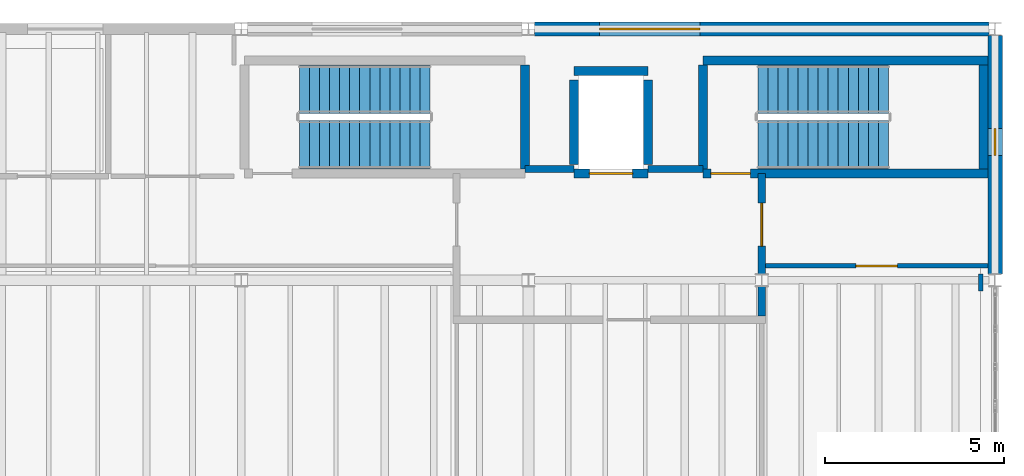
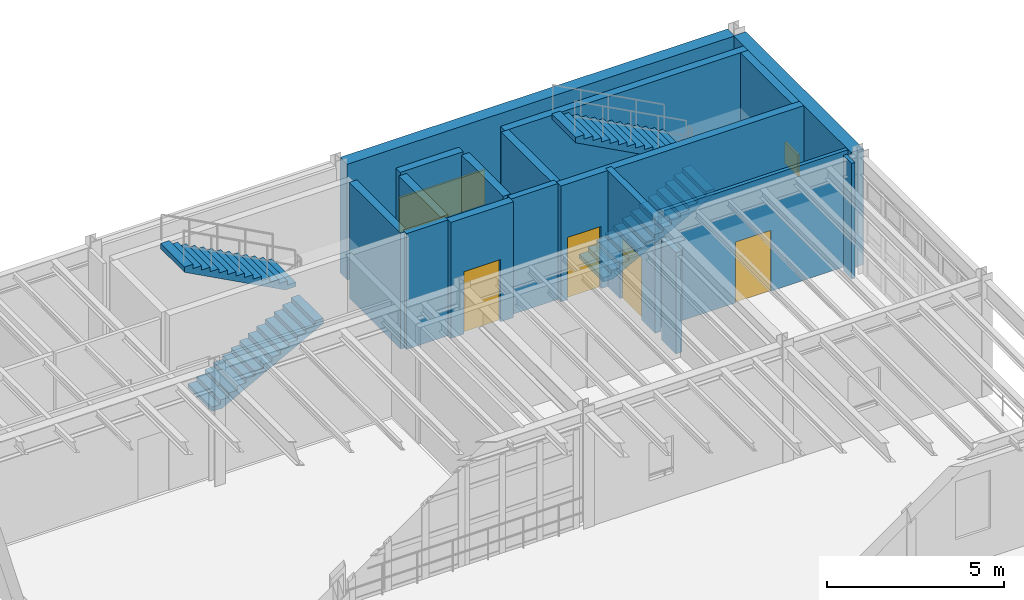
# One storey, part 25 of 27: 17 walls, 4 doors, 4 stair flights, 2 windows, 6 openings, 2 elements without a shape of their own.
"""IFC4 building model written with IfcOpenShell, lengths in metres."""

from ifc_helpers import new_model, si_unit, direction, frame, frame_2d, origin, place, context, subcontext, project, spatial, polyline, rectangle, outline, extrude, material, layer, layer_set, type_object, element, fill, aggregate, save


model = new_model("IFC4")

# Units and contexts
model_context = context("Model", 3, precision=1e-05, world=origin(), true_north=direction((0.0, 1.0)))
body_context = subcontext(model_context, "Body", "Model", "MODEL_VIEW")
ifc_project = project(units=[si_unit("LENGTHUNIT", "METRE"), si_unit("AREAUNIT", "SQUARE_METRE"), si_unit("VOLUMEUNIT", "CUBIC_METRE"), si_unit("PLANEANGLEUNIT", "RADIAN"), si_unit("MASSUNIT", "GRAM", prefix="KILO"), si_unit("THERMODYNAMICTEMPERATUREUNIT", "KELVIN"), si_unit("POWERUNIT", "WATT")], contexts=[model_context])

# Site, building, storey
site_placement = place(None, origin())
site = spatial("IfcSite", under=ifc_project, at=site_placement, CompositionType="ELEMENT")
building_placement = place(site_placement, origin())
building = spatial("IfcBuilding", under=site, at=building_placement, Name="Zhenchuan Central Fire Station", CompositionType="ELEMENT")
storey_placement = place(building_placement, frame((0.0, 0.0, 14.25)))
storey = spatial("IfcBuildingStorey", under=building, at=storey_placement, Name="L04", CompositionType="ELEMENT", Elevation=14.25)

# Wall, opening, window
ifc_material_1 = material(Name="Concrete C40/50", Category="concrete")
ifc_layer_1 = layer(ifc_material_1, 0.39990234375, Name="Concrete C40/50", Category="concrete")
ifc_layer_set_1 = layer_set([ifc_layer_1], Name="Concrete C40/50")
wall_type_1 = type_object("IfcWallType", Name="EW-RC400", PredefinedType="SHEAR", material=ifc_layer_set_1)
wall_1_placement = place(storey_placement, frame((148.175048828125, 56.5, 0.0), z_axis=(0.0, 0.0, 1.0), x_axis=(1.0, 0.0, 0.0)))
wall_1 = element("IfcWall", 1, at=wall_1_placement, inside=storey, type_object=wall_type_1, Name="EW-L04-V6N-2", PredefinedType="SHEAR", context=body_context, shape_type="SweptSolid", body=[
    extrude(rectangle(XDim=12.64990234375, YDim=0.39990234375, at=frame_2d((6.324951171875, 0.0))), origin(), (0.0, 0.0, 1.0), 4.0),
])
opening_1_placement = place(wall_1_placement, frame((1.800048828125, 0.0, 0.89990234375)))
opening_1 = element("IfcOpeningElement", 2, at=opening_1_placement, cuts=wall_1, Name="Opening W-38", PredefinedType="OPENING", context=body_context, shape_type="SweptSolid", body=[
    extrude(rectangle(XDim=2.800048828125, YDim=1.199951171875, at=frame_2d((1.39990234375, 0.60009765625))), frame((0.0, 0.2099609375, 0.0), z_axis=(0.0, -1.0, 0.0), x_axis=(1.0, 0.0, 0.0)), (0.0, 0.0, 1.0), 0.419921875),
])
ifc_material_2 = material(Name="Laminated low-E double glazing in aluminium frame", Category="aluminium")
window_type_1 = type_object("IfcWindowType", Name="WN-38", PartitioningType="SINGLE_PANEL", PredefinedType="WINDOW", material=ifc_material_2)
window_1_placement = place(opening_1_placement, origin())
window_1 = element("IfcWindow", 3, at=window_1_placement, inside=storey, type_object=window_type_1, Name="Exterior Window 0122", OverallHeight=1.199951171875, OverallWidth=2.800048828125, PartitioningType="SINGLE_PANEL", PredefinedType="WINDOW", context=body_context, shape_type="SweptSolid", body=[
    extrude(rectangle(XDim=2.800048828125, YDim=1.199951171875, at=frame_2d((1.39990234375, 0.60009765625))), frame((0.0, 0.030029296875, 0.0), z_axis=(0.0, -1.0, 0.0), x_axis=(1.0, 0.0, 0.0)), (0.0, 0.0, 1.0), 0.06005859375),
])
fill(opening_1, window_1)

wall_2_placement = place(storey_placement, frame((161.0, 49.675048828125, 0.0), z_axis=(0.0, 0.0, 1.0), x_axis=(0.0, 1.0, 0.0)))
wall_2 = element("IfcWall", 4, at=wall_2_placement, inside=storey, type_object=wall_type_1, Name="EW-L04-V6E-1", PredefinedType="SHEAR", context=body_context, shape_type="SweptSolid", body=[
    extrude(rectangle(XDim=6.64990234375, YDim=0.39990234375, at=frame_2d((3.324951171875, 0.0))), origin(), (0.0, 0.0, 1.0), 4.0),
])
opening_2_placement = place(wall_2_placement, frame((3.300048828125, 0.0, 1.10009765625)))
opening_2 = element("IfcOpeningElement", 5, at=opening_2_placement, cuts=wall_2, Name="Opening W-02", PredefinedType="OPENING", context=body_context, shape_type="SweptSolid", body=[
    extrude(rectangle(XDim=0.75, YDim=0.75, at=frame_2d((0.375, 0.375))), frame((0.0, 0.2099609375, 0.0), z_axis=(0.0, -1.0, 0.0), x_axis=(1.0, 0.0, 0.0)), (0.0, 0.0, 1.0), 0.419921875),
])
window_type_2 = type_object("IfcWindowType", Name="WN-02", PartitioningType="SINGLE_PANEL", PredefinedType="WINDOW", material=ifc_material_2)
window_2_placement = place(opening_2_placement, origin())
window_2 = element("IfcWindow", 6, at=window_2_placement, inside=storey, type_object=window_type_2, Name="Exterior Window 0123", OverallHeight=0.75, OverallWidth=0.75, PartitioningType="SINGLE_PANEL", PredefinedType="WINDOW", context=body_context, shape_type="SweptSolid", body=[
    extrude(rectangle(XDim=0.75, YDim=0.75, at=frame_2d((0.375, 0.375))), frame((0.0, 0.030029296875, 0.0), z_axis=(0.0, -1.0, 0.0), x_axis=(1.0, 0.0, 0.0)), (0.0, 0.0, 1.0), 0.06005859375),
])
fill(opening_2, window_2)

# Walls
ifc_material_3 = material(Name="Autoclaved aerated concrete blockwork", Category="masonry")
ifc_layer_2 = layer(ifc_material_3, 0.199951171875, Name="Autoclaved aerated concrete blockwork", Category="masonry")
ifc_layer_set_2 = layer_set([ifc_layer_2], Name="Autoclaved aerated concrete blockwork")
wall_type_2 = type_object("IfcWallType", Name="IW-FIR200", PredefinedType="PARTITIONING", material=ifc_layer_set_2)
wall_3_placement = place(storey_placement, frame((147.908935546875, 52.60009765625, 0.0), z_axis=(0.0, 0.0, 1.0), x_axis=(1.0, 0.0, 0.0)))
element("IfcWall", 7, at=wall_3_placement, inside=storey, type_object=wall_type_2, Name="L04 Firefighting Lobby North-West Infill Wall", PredefinedType="PARTITIONING", context=body_context, shape_type="SweptSolid", body=[
    extrude(rectangle(XDim=1.362060546875, YDim=0.199951171875, at=frame_2d((0.68115234375, 0.0))), origin(), (0.0, 0.0, 1.0), 4.0),
])
wall_4_placement = place(storey_placement, frame((151.3291015625, 52.60009765625, 0.0), z_axis=(0.0, 0.0, 1.0), x_axis=(1.0, 0.0, 0.0)))
element("IfcWall", 8, at=wall_4_placement, inside=storey, type_object=wall_type_2, Name="L04 Firefighting Lobby North-East Infill Wall", PredefinedType="PARTITIONING", context=body_context, shape_type="SweptSolid", body=[
    extrude(rectangle(XDim=1.531982421875, YDim=0.199951171875, at=frame_2d((0.76611328125, 0.0))), origin(), (0.0, 0.0, 1.0), 4.0),
])
wall_5_placement = place(storey_placement, frame((154.5, 48.50390625, 0.0), z_axis=(0.0, 0.0, 1.0), x_axis=(0.0, 1.0, 0.0)))
element("IfcWall", 9, at=wall_5_placement, inside=storey, type_object=wall_type_2, Name="L04 Firefighting Lift Lobby South-East Pier Wall", PredefinedType="PARTITIONING", context=body_context, shape_type="SweptSolid", body=[
    extrude(rectangle(XDim=0.817138671875, YDim=0.199951171875, at=frame_2d((0.40869140625, 0.0))), origin(), (0.0, 0.0, 1.0), 3.493896484375),
])

# Wall, opening, door
wall_6_placement = place(storey_placement, frame((154.5, 49.678955078125, 0.0), z_axis=(0.0, 0.0, 1.0), x_axis=(0.0, 1.0, 0.0)))
wall_6 = element("IfcWall", 10, at=wall_6_placement, inside=storey, type_object=wall_type_2, Name="L04 Firefighting Lift Lobby East Wall", PredefinedType="PARTITIONING", context=body_context, shape_type="SweptSolid", body=[
    extrude(rectangle(XDim=2.7919921875, YDim=0.199951171875, at=frame_2d((1.39599609375, 0.0))), origin(), (0.0, 0.0, 1.0), 4.0),
])
opening_3_placement = place(wall_6_placement, frame((0.77099609375, 0.0, 0.0)))
opening_3 = element("IfcOpeningElement", 11, at=opening_3_placement, cuts=wall_6, Name="Opening D-059", PredefinedType="OPENING", context=body_context, shape_type="SweptSolid", body=[
    extrude(rectangle(XDim=1.199951171875, YDim=2.14990234375, at=frame_2d((0.60009765625, 1.074951171875))), frame((0.0, 0.10986328125, 0.0), z_axis=(0.0, -1.0, 0.0), x_axis=(1.0, 0.0, 0.0)), (0.0, 0.0, 1.0), 0.219970703125),
])
ifc_material_4 = material(Name="Smoke-sealed steel fire lobby door", Category="steel")
door_type_1 = type_object("IfcDoorType", Name="ID-FFL-120x215", OperationType="NOTDEFINED", PredefinedType="DOOR", material=ifc_material_4)
door_1_placement = place(opening_3_placement, origin())
door_1 = element("IfcDoor", 12, at=door_1_placement, inside=storey, type_object=door_type_1, Name="L04 Firefighting Lift Lobby East Door", OperationType="SINGLE_SWING_LEFT", OverallHeight=2.14990234375, OverallWidth=1.199951171875, PredefinedType="DOOR", context=body_context, shape_type="SweptSolid", body=[
    extrude(rectangle(XDim=1.199951171875, YDim=2.14990234375, at=frame_2d((0.60009765625, 1.074951171875))), frame((0.0, 0.02490234375, 0.0), z_axis=(0.0, -1.0, 0.0), x_axis=(1.0, 0.0, 0.0)), (0.0, 0.0, 1.0), 0.050048828125),
])
fill(opening_3, door_1)

ifc_material_5 = material(Name="Gypsum plasterboard on steel studs", Category="gypsum")
ifc_layer_3 = layer(ifc_material_5, 0.1201171875, Name="Gypsum plasterboard on steel studs", Category="gypsum")
ifc_layer_set_3 = layer_set([ifc_layer_3], Name="Gypsum plasterboard on steel studs")
wall_type_3 = type_object("IfcWallType", Name="IW-GYP120", PredefinedType="PARTITIONING", material=ifc_layer_set_3)
wall_7_placement = place(storey_placement, frame((154.60302734375, 49.89990234375, 0.0), z_axis=(0.0, 0.0, 1.0), x_axis=(1.0, 0.0, 0.0)))
wall_7 = element("IfcWall", 13, at=wall_7_placement, inside=storey, type_object=wall_type_3, Name="Tactical Debriefing Classroom N Partition", PredefinedType="PARTITIONING", context=body_context, shape_type="SweptSolid", body=[
    extrude(rectangle(XDim=6.194091796875, YDim=0.1201171875, at=frame_2d((3.09716796875, 0.0))), origin(), (0.0, 0.0, 1.0), 4.0),
])
opening_4_placement = place(wall_7_placement, frame((2.52197265625, 0.0, 0.0)))
opening_4 = element("IfcOpeningElement", 14, at=opening_4_placement, cuts=wall_7, Name="Opening D-178", PredefinedType="OPENING", context=body_context, shape_type="SweptSolid", body=[
    extrude(rectangle(XDim=1.14990234375, YDim=2.10009765625, at=frame_2d((0.574951171875, 1.050048828125))), frame((0.0, 0.070068359375, 0.0), z_axis=(0.0, -1.0, 0.0), x_axis=(1.0, 0.0, 0.0)), (0.0, 0.0, 1.0), 0.14013671875),
])
ifc_material_6 = material(Name="Glazed vision-panel classroom door")
door_type_2 = type_object("IfcDoorType", Name="ID-CLS-115x210", OperationType="NOTDEFINED", PredefinedType="DOOR", material=ifc_material_6)
door_2_placement = place(opening_4_placement, origin())
door_2 = element("IfcDoor", 15, at=door_2_placement, inside=storey, type_object=door_type_2, Name="Tactical Debriefing Classroom Door", OperationType="SINGLE_SWING_RIGHT", OverallHeight=2.10009765625, OverallWidth=1.14990234375, PredefinedType="DOOR", context=body_context, shape_type="SweptSolid", body=[
    extrude(rectangle(XDim=1.14990234375, YDim=2.10009765625, at=frame_2d((0.574951171875, 1.050048828125))), frame((0.0, 0.02490234375, 0.0), z_axis=(0.0, -1.0, 0.0), x_axis=(1.0, 0.0, 0.0)), (0.0, 0.0, 1.0), 0.050048828125),
])
fill(opening_4, door_2)

# Walls
wall_8_placement = place(storey_placement, frame((160.60009765625, 49.202880859375, 0.0), z_axis=(0.0, 0.0, 1.0), x_axis=(0.0, 1.0, 0.0)))
element("IfcWall", 16, at=wall_8_placement, inside=storey, type_object=wall_type_3, Name="Tactical Debriefing Classroom E Partition", PredefinedType="PARTITIONING", context=body_context, shape_type="SweptSolid", body=[
    extrude(rectangle(XDim=0.46923828125, YDim=0.1201171875, at=frame_2d((0.234619140625, 0.0))), origin(), (0.0, 0.0, 1.0), 4.0),
])
ifc_layer_4 = layer(ifc_material_1, 0.25, Name="Concrete C40/50", Category="concrete")
ifc_layer_set_4 = layer_set([ifc_layer_4], Name="Concrete C40/50")
wall_type_4 = type_object("IfcWallType", Name="IW-SHR250", PredefinedType="SHEAR", material=ifc_layer_set_4)
wall_9_placement = place(storey_placement, frame((147.905029296875, 52.60009765625, 0.0), z_axis=(0.0, 0.0, 1.0), x_axis=(0.0, 1.0, 0.0)))
element("IfcWall", 17, at=wall_9_placement, inside=storey, type_object=wall_type_4, Name="ST-12 L04 East Core Wall", PredefinedType="SHEAR", context=body_context, shape_type="SweptSolid", body=[
    extrude(rectangle(XDim=2.89990234375, YDim=0.25, at=frame_2d((1.449951171875, 0.0))), origin(), (0.0, 0.0, 1.0), 4.0),
])

# Wall, opening, door
wall_10_placement = place(storey_placement, frame((152.864990234375, 52.47509765625, 0.0), z_axis=(0.0, 0.0, 1.0), x_axis=(1.0, 0.0, 0.0)))
wall_10 = element("IfcWall", 18, at=wall_10_placement, inside=storey, type_object=wall_type_4, Name="ST-13 L04 South Core Wall", PredefinedType="SHEAR", context=body_context, shape_type="SweptSolid", body=[
    extrude(rectangle(XDim=7.93505859375, YDim=0.25, at=frame_2d((3.967529296875, 0.0))), origin(), (0.0, 0.0, 1.0), 4.0),
])
opening_5_placement = place(wall_10_placement, frame((0.219970703125, 0.0, 0.0)))
opening_5 = element("IfcOpeningElement", 19, at=opening_5_placement, cuts=wall_10, Name="Opening D-039", PredefinedType="OPENING", context=body_context, shape_type="SweptSolid", body=[
    extrude(rectangle(XDim=1.10009765625, YDim=2.14990234375, at=frame_2d((0.550048828125, 1.074951171875))), frame((0.0, 0.135009765625, 0.0), z_axis=(0.0, -1.0, 0.0), x_axis=(1.0, 0.0, 0.0)), (0.0, 0.0, 1.0), 0.27001953125),
])
ifc_material_7 = material(Name="Painted steel acoustic fire door", Category="steel")
door_type_3 = type_object("IfcDoorType", Name="ID-ST-110x215", OperationType="NOTDEFINED", PredefinedType="DOOR", material=ifc_material_7)
door_3_placement = place(opening_5_placement, frame((1.10009765625, 0.0, 0.0), z_axis=(0.0, 0.0, 1.0), x_axis=(-1.0, 0.0, 0.0)))
door_3 = element("IfcDoor", 20, at=door_3_placement, inside=storey, type_object=door_type_3, Name="ST-13 L04 Fire Door", OperationType="SINGLE_SWING_LEFT", OverallHeight=2.14990234375, OverallWidth=1.10009765625, PredefinedType="DOOR", context=body_context, shape_type="SweptSolid", body=[
    extrude(rectangle(XDim=1.10009765625, YDim=2.14990234375, at=frame_2d((0.550048828125, 1.074951171875))), frame((0.0, 0.02490234375, 0.0), z_axis=(0.0, -1.0, 0.0), x_axis=(1.0, 0.0, 0.0)), (0.0, 0.0, 1.0), 0.050048828125),
])
fill(opening_5, door_3)

# Walls
wall_11_placement = place(storey_placement, frame((152.864990234375, 55.625, 0.0), z_axis=(0.0, 0.0, 1.0), x_axis=(1.0, 0.0, 0.0)))
element("IfcWall", 21, at=wall_11_placement, inside=storey, type_object=wall_type_4, Name="ST-13 L04 North Core Wall", PredefinedType="SHEAR", context=body_context, shape_type="SweptSolid", body=[
    extrude(rectangle(XDim=7.93505859375, YDim=0.25, at=frame_2d((3.967529296875, 0.0))), origin(), (0.0, 0.0, 1.0), 4.0),
])
for number, where, z_axis, x_axis, name in (
    (22, (152.864990234375, 52.60009765625, 0.0), (0.0, 0.0, 1.0), (0.0, 1.0, 0.0), "ST-13 L04 West Core Wall"),
    (23, (160.675048828125, 52.60009765625, 0.0), (0.0, 0.0, 1.0), (0.0, 1.0, 0.0), "ST-13 L04 East Core Wall"),
):
    element("IfcWall", number, at=place(storey_placement, frame(where, z_axis=z_axis, x_axis=x_axis)), inside=storey, type_object=wall_type_4, Name=name, PredefinedType="SHEAR", context=body_context, shape_type="SweptSolid", body=[
        extrude(rectangle(XDim=2.89990234375, YDim=0.25, at=frame_2d((1.449951171875, 0.0))), origin(), (0.0, 0.0, 1.0), 4.0),
    ])

# Wall, opening, door
wall_12_placement = place(storey_placement, frame((149.27490234375, 52.47509765625, 0.0), z_axis=(0.0, 0.0, 1.0), x_axis=(1.0, 0.0, 0.0)))
wall_12 = element("IfcWall", 24, at=wall_12_placement, inside=storey, type_object=wall_type_4, Name="Lift FL-01 L04 South Shaft Wall", PredefinedType="SHEAR", context=body_context, shape_type="SweptSolid", body=[
    extrude(rectangle(XDim=2.050048828125, YDim=0.25, at=frame_2d((1.02490234375, 0.0))), origin(), (0.0, 0.0, 1.0), 4.0),
])
opening_6_placement = place(wall_12_placement, frame((0.425048828125, 0.0, 0.0)))
opening_6 = element("IfcOpeningElement", 25, at=opening_6_placement, cuts=wall_12, Name="Opening LD-004", PredefinedType="OPENING", context=body_context, shape_type="SweptSolid", body=[
    extrude(rectangle(XDim=1.199951171875, YDim=2.14990234375, at=frame_2d((0.60009765625, 1.074951171875))), frame((0.0, 0.135009765625, 0.0), z_axis=(0.0, -1.0, 0.0), x_axis=(1.0, 0.0, 0.0)), (0.0, 0.0, 1.0), 0.27001953125),
])
ifc_material_8 = material(Name="Brushed stainless steel sliding landing door", Category="steel")
door_type_4 = type_object("IfcDoorType", Name="ID-LD-120x215", OperationType="NOTDEFINED", PredefinedType="DOOR", material=ifc_material_8)
door_4_placement = place(opening_6_placement, origin())
door_4 = element("IfcDoor", 26, at=door_4_placement, inside=storey, type_object=door_type_4, Name="Lift FL-01 L04 Sliding Landing Door", OperationType="DOUBLE_DOOR_SLIDING", OverallHeight=2.14990234375, OverallWidth=1.199951171875, PredefinedType="DOOR", context=body_context, shape_type="SweptSolid", body=[
    extrude(rectangle(XDim=1.199951171875, YDim=2.14990234375, at=frame_2d((0.60009765625, 1.074951171875))), frame((0.0, 0.02490234375, 0.0), z_axis=(0.0, -1.0, 0.0), x_axis=(1.0, 0.0, 0.0)), (0.0, 0.0, 1.0), 0.050048828125),
])
fill(opening_6, door_4)

# Walls
wall_13_placement = place(storey_placement, frame((149.27490234375, 55.324951171875, 0.0), z_axis=(0.0, 0.0, 1.0), x_axis=(1.0, 0.0, 0.0)))
element("IfcWall", 27, at=wall_13_placement, inside=storey, type_object=wall_type_4, Name="Lift FL-01 L04 North Shaft Wall", PredefinedType="SHEAR", context=body_context, shape_type="SweptSolid", body=[
    extrude(rectangle(XDim=2.050048828125, YDim=0.25, at=frame_2d((1.02490234375, 0.0))), origin(), (0.0, 0.0, 1.0), 4.0),
])
for number, where, z_axis, x_axis, name in (
    (28, (149.27490234375, 52.72509765625, 0.0), (0.0, 0.0, 1.0), (0.0, 1.0, 0.0), "Lift FL-01 L04 West Shaft Wall"),
    (29, (151.324951171875, 52.72509765625, 0.0), (0.0, 0.0, 1.0), (0.0, 1.0, 0.0), "Lift FL-01 L04 East Shaft Wall"),
):
    element("IfcWall", number, at=place(storey_placement, frame(where, z_axis=z_axis, x_axis=x_axis)), inside=storey, type_object=wall_type_4, Name=name, PredefinedType="SHEAR", context=body_context, shape_type="SweptSolid", body=[
        extrude(rectangle(XDim=2.349853515625, YDim=0.25, at=frame_2d((1.1748046875, 0.0))), origin(), (0.0, 0.0, 1.0), 4.0),
    ])

# Stair, stair flights
ifc_material_9 = material(Name="Concrete C35/45", Category="concrete")
stair_type = type_object("IfcStairType", Name="ST-CORE-TYP", PredefinedType="HALF_TURN_STAIR", material=ifc_material_9)
stair_1_placement = place(storey_placement, origin())
stair_1 = element("IfcStair", 30, at=stair_1_placement, inside=storey, type_object=stair_type, Name="L04 Drill Tower West Exit Stair", PredefinedType="HALF_TURN_STAIR")
stair_flight_type = type_object("IfcStairFlightType", Name="SFL-CORE-TYP", PredefinedType="STRAIGHT", material=ifc_material_9)
stair_flight_1_placement = place(storey_placement, frame((141.6201171875, 53.27490234375, 0.0), z_axis=(0.0, 0.0, 1.0), x_axis=(1.0, 0.0, 0.0)))
stair_flight_1 = element("IfcStairFlight", 31, at=stair_flight_1_placement, type_object=stair_flight_type, Name="ST-12 flight 1", NumberOfRisers=14, NumberOfTreads=13, PredefinedType="STRAIGHT", RiserHeight=0.15, TreadLength=0.28, context=body_context, shape_type="SweptSolid", body=[
    extrude(outline(polyline([(0.0, 0.0), (0.0, 0.14990234375), (0.280029296875, 0.14990234375), (0.280029296875, 0.300048828125), (0.56005859375, 0.300048828125), (0.56005859375, 0.449951171875), (0.840087890625, 0.449951171875), (0.840087890625, 0.60009765625), (1.1201171875, 0.60009765625), (1.1201171875, 0.75), (1.39990234375, 0.75), (1.39990234375, 0.89990234375), (1.679931640625, 0.89990234375), (1.679931640625, 1.050048828125), (1.9599609375, 1.050048828125), (1.9599609375, 1.199951171875), (2.239990234375, 1.199951171875), (2.239990234375, 1.35009765625), (2.52001953125, 1.35009765625), (2.52001953125, 1.5), (2.800048828125, 1.5), (2.800048828125, 1.64990234375), (3.080078125, 1.64990234375), (3.080078125, 1.800048828125), (3.360107421875, 1.800048828125), (3.360107421875, 1.949951171875), (3.639892578125, 1.949951171875), (3.639892578125, 2.10009765625), (3.639892578125, 1.7685546875), (0.338623046875, 0.0), (0.0, 0.0)])), frame((0.0, 0.675048828125, 0.0), z_axis=(0.0, -1.0, 0.0), x_axis=(1.0, 0.0, 0.0)), (0.0, 0.0, 1.0), 1.35009765625),
])
stair_flight_2_placement = place(storey_placement, frame((145.260009765625, 54.824951171875, 2.10009765625), z_axis=(0.0, 0.0, 1.0), x_axis=(-1.0, 0.0, 0.0)))
stair_flight_2 = element("IfcStairFlight", 32, at=stair_flight_2_placement, type_object=stair_flight_type, Name="ST-12 flight 2", NumberOfRisers=14, NumberOfTreads=13, PredefinedType="STRAIGHT", RiserHeight=0.15, TreadLength=0.28, context=body_context, shape_type="SweptSolid", body=[
    extrude(outline(polyline([(0.0, 0.0), (0.0, 0.14990234375), (0.280029296875, 0.14990234375), (0.280029296875, 0.300048828125), (0.56005859375, 0.300048828125), (0.56005859375, 0.449951171875), (0.840087890625, 0.449951171875), (0.840087890625, 0.60009765625), (1.1201171875, 0.60009765625), (1.1201171875, 0.75), (1.39990234375, 0.75), (1.39990234375, 0.89990234375), (1.679931640625, 0.89990234375), (1.679931640625, 1.050048828125), (1.9599609375, 1.050048828125), (1.9599609375, 1.199951171875), (2.239990234375, 1.199951171875), (2.239990234375, 1.35009765625), (2.52001953125, 1.35009765625), (2.52001953125, 1.5), (2.800048828125, 1.5), (2.800048828125, 1.64990234375), (3.080078125, 1.64990234375), (3.080078125, 1.800048828125), (3.360107421875, 1.800048828125), (3.360107421875, 1.949951171875), (3.639892578125, 1.949951171875), (3.639892578125, 2.10009765625), (3.639892578125, 1.7685546875), (0.338623046875, 0.0), (0.0, 0.0)])), frame((0.0, 0.675048828125, 0.0), z_axis=(0.0, -1.0, 0.0), x_axis=(1.0, 0.0, 0.0)), (0.0, 0.0, 1.0), 1.35009765625),
])
aggregate(stair_1, [stair_flight_1, stair_flight_2])

stair_2_placement = place(storey_placement, origin())
stair_2 = element("IfcStair", 33, at=stair_2_placement, inside=storey, type_object=stair_type, Name="L04 Drill Tower East Exit Stair", PredefinedType="HALF_TURN_STAIR")
stair_flight_3_placement = place(storey_placement, frame((154.389892578125, 53.27490234375, 0.0), z_axis=(0.0, 0.0, 1.0), x_axis=(1.0, 0.0, 0.0)))
stair_flight_3 = element("IfcStairFlight", 34, at=stair_flight_3_placement, type_object=stair_flight_type, Name="ST-13 flight 1", NumberOfRisers=14, NumberOfTreads=13, PredefinedType="STRAIGHT", RiserHeight=0.15, TreadLength=0.28, context=body_context, shape_type="SweptSolid", body=[
    extrude(outline(polyline([(0.0, 0.0), (0.0, 0.14990234375), (0.280029296875, 0.14990234375), (0.280029296875, 0.300048828125), (0.56005859375, 0.300048828125), (0.56005859375, 0.449951171875), (0.840087890625, 0.449951171875), (0.840087890625, 0.60009765625), (1.1201171875, 0.60009765625), (1.1201171875, 0.75), (1.39990234375, 0.75), (1.39990234375, 0.89990234375), (1.679931640625, 0.89990234375), (1.679931640625, 1.050048828125), (1.9599609375, 1.050048828125), (1.9599609375, 1.199951171875), (2.239990234375, 1.199951171875), (2.239990234375, 1.35009765625), (2.52001953125, 1.35009765625), (2.52001953125, 1.5), (2.800048828125, 1.5), (2.800048828125, 1.64990234375), (3.080078125, 1.64990234375), (3.080078125, 1.800048828125), (3.360107421875, 1.800048828125), (3.360107421875, 1.949951171875), (3.639892578125, 1.949951171875), (3.639892578125, 2.10009765625), (3.639892578125, 1.7685546875), (0.338623046875, 0.0), (0.0, 0.0)])), frame((0.0, 0.675048828125, 0.0), z_axis=(0.0, -1.0, 0.0), x_axis=(1.0, 0.0, 0.0)), (0.0, 0.0, 1.0), 1.35009765625),
])
stair_flight_4_placement = place(storey_placement, frame((158.030029296875, 54.824951171875, 2.10009765625), z_axis=(0.0, 0.0, 1.0), x_axis=(-1.0, 0.0, 0.0)))
stair_flight_4 = element("IfcStairFlight", 35, at=stair_flight_4_placement, type_object=stair_flight_type, Name="ST-13 flight 2", NumberOfRisers=14, NumberOfTreads=13, PredefinedType="STRAIGHT", RiserHeight=0.15, TreadLength=0.28, context=body_context, shape_type="SweptSolid", body=[
    extrude(outline(polyline([(0.0, 0.0), (0.0, 0.14990234375), (0.280029296875, 0.14990234375), (0.280029296875, 0.300048828125), (0.56005859375, 0.300048828125), (0.56005859375, 0.449951171875), (0.840087890625, 0.449951171875), (0.840087890625, 0.60009765625), (1.1201171875, 0.60009765625), (1.1201171875, 0.75), (1.39990234375, 0.75), (1.39990234375, 0.89990234375), (1.679931640625, 0.89990234375), (1.679931640625, 1.050048828125), (1.9599609375, 1.050048828125), (1.9599609375, 1.199951171875), (2.239990234375, 1.199951171875), (2.239990234375, 1.35009765625), (2.52001953125, 1.35009765625), (2.52001953125, 1.5), (2.800048828125, 1.5), (2.800048828125, 1.64990234375), (3.080078125, 1.64990234375), (3.080078125, 1.800048828125), (3.360107421875, 1.800048828125), (3.360107421875, 1.949951171875), (3.639892578125, 1.949951171875), (3.639892578125, 2.10009765625), (3.639892578125, 1.7685546875), (0.338623046875, 0.0), (0.0, 0.0)])), frame((0.0, 0.675048828125, 0.0), z_axis=(0.0, -1.0, 0.0), x_axis=(1.0, 0.0, 0.0)), (0.0, 0.0, 1.0), 1.35009765625),
])
aggregate(stair_2, [stair_flight_3, stair_flight_4])

save(model, "model.ifc")
